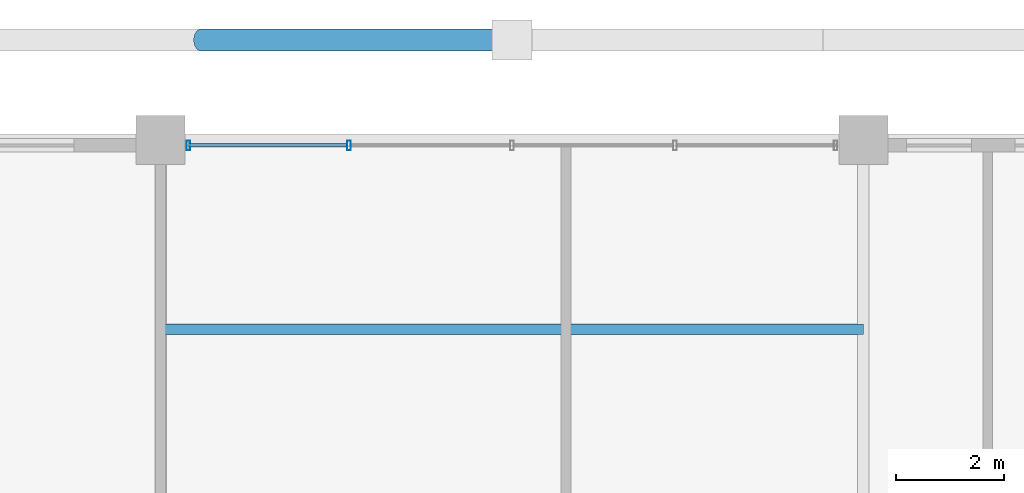
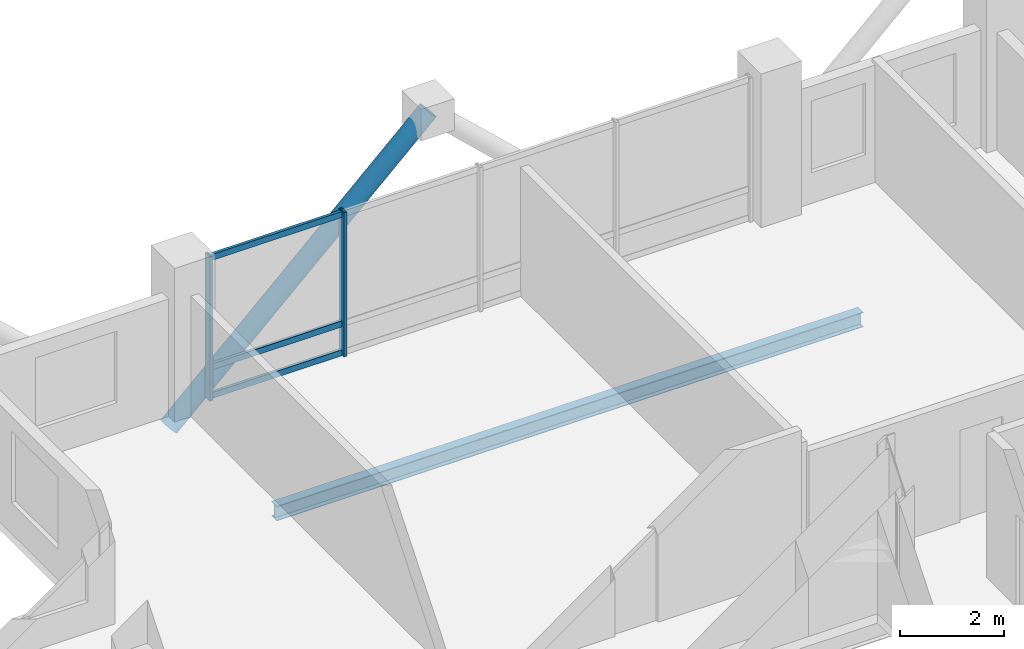
# One storey, part 14 of 22: 6 members, 1 beam, 1 element without a shape of its own.
"""IFC4 building model written with IfcOpenShell, lengths in metres."""

import ifcopenshell
import ifcopenshell.guid

model = None  # the IFC model being written
_history = None  # IfcOwnerHistory: only IFC2X3 demands one
_inside = {}  # id of a spatial element -> (the spatial element, [elements in it])
_under = {}  # id of a project, library or spatial element -> (it, [spatial elements below it])
_declared = {}  # id of a project -> (the project, [libraries it declares])
_typed = {}  # id of a type object -> (the type object, [elements of that type])
_made_of = {}  # id of a material, layer set ... -> (it, [elements and type objects made of it])


def new_model(schema):
    """Start an empty IFC model of exactly this schema.

    Asked for "IFC4X3", IfcOpenShell would pick the latest addendum, in which some entities
    have other attributes; the version numbers below select the first issue.
    IFC2X3 requires an IfcOwnerHistory on every rooted entity: one is made here for all.
    """
    global model, _history
    if schema == "IFC4X3":
        model = ifcopenshell.file(schema_version=(4, 3, 0, 0))
    else:
        model = ifcopenshell.file(schema=schema)
    _inside.clear()
    _under.clear()
    _declared.clear()
    _typed.clear()
    _made_of.clear()
    _history = None
    if model.schema == "IFC2X3":
        org = make("IfcOrganization", Name="unknown")
        user = make(
            "IfcPersonAndOrganization",
            ThePerson=make("IfcPerson", FamilyName="unknown"),
            TheOrganization=org,
        )
        app = make(
            "IfcApplication",
            ApplicationDeveloper=org,
            Version="unknown",
            ApplicationFullName="unknown",
            ApplicationIdentifier="unknown",
        )
        _history = make(
            "IfcOwnerHistory",
            OwningUser=user,
            OwningApplication=app,
            ChangeAction="ADDED",
            CreationDate=0,
        )
    return model


def make(cls, **values):
    """One entity of the class cls with the attributes given. An attribute that is None is left unset."""
    return model.create_entity(
        cls, **{name: value for name, value in values.items() if value is not None}
    )


def rooted(cls, **values):
    """An entity with a GlobalId (a new one), such as an element, a storey or a relation."""
    return make(cls, GlobalId=ifcopenshell.guid.new(), OwnerHistory=_history, **values)


def si_unit(unit_type, name, prefix=None):
    """IfcSIUnit, for example si_unit("LENGTHUNIT", "METRE", prefix="MILLI")."""
    return make("IfcSIUnit", UnitType=unit_type, Prefix=prefix, Name=name)


def assignment(units):
    """IfcUnitAssignment: the units of a project."""
    return None if units is None else make("IfcUnitAssignment", Units=units)


def point(xyz):
    """IfcCartesianPoint."""
    return None if xyz is None else make("IfcCartesianPoint", Coordinates=xyz)


def direction(xyz):
    """IfcDirection."""
    return None if xyz is None else make("IfcDirection", DirectionRatios=xyz)


def frame(location, z_axis=None, x_axis=None):
    """IfcAxis2Placement3D, a coordinate frame: its origin and axes. An axis left out is left unset."""
    return make(
        "IfcAxis2Placement3D",
        Location=point(location),
        Axis=direction(z_axis),
        RefDirection=direction(x_axis),
    )


def frame_2d(location, x_axis=None):
    """IfcAxis2Placement2D, a coordinate frame in the plane: its origin and x axis."""
    return make(
        "IfcAxis2Placement2D", Location=point(location), RefDirection=direction(x_axis)
    )


def origin():
    """The frame at (0, 0, 0) with its axes left unset."""
    return frame((0.0, 0.0, 0.0))


def origin_2d():
    """The frame at (0, 0) in the plane with its x axis left unset."""
    return frame_2d((0.0, 0.0))


def place(relative_to, where):
    """IfcLocalPlacement: puts the frame where relative to a parent placement (None: the world)."""
    return make(
        "IfcLocalPlacement", PlacementRelTo=relative_to, RelativePlacement=where
    )


def context(
    kind, dimensions, precision=None, world=None, true_north=None, identifier=None
):
    """IfcGeometricRepresentationContext, for example the 3D "Model" context."""
    return make(
        "IfcGeometricRepresentationContext",
        ContextIdentifier=identifier,
        ContextType=kind,
        CoordinateSpaceDimension=dimensions,
        Precision=precision,
        WorldCoordinateSystem=world,
        TrueNorth=true_north,
    )


def subcontext(parent, identifier, kind, view, scale=None):
    """IfcGeometricRepresentationSubContext, for example "Body" below "Model"."""
    return make(
        "IfcGeometricRepresentationSubContext",
        ContextIdentifier=identifier,
        ContextType=kind,
        ParentContext=parent,
        TargetScale=scale,
        TargetView=view,
    )


def project(units=None, contexts=None):
    """IfcProject with its units and contexts."""
    return rooted(
        "IfcProject",
        Name="project",
        RepresentationContexts=contexts,
        UnitsInContext=assignment(units),
    )


def spatial(cls, under=None, at=None, **own):
    """A site, building, storey or space (cls), placed at a placement, below another one or the project."""
    s = rooted(cls, ObjectPlacement=at, **own)
    if under is not None:
        _under.setdefault(under.id(), (under, []))[1].append(s)
    return s


def profile(cls, at=None, kind="AREA", **sizes):
    """A parametric profile (cls). Its sizes go by their IFC names, for example OverallWidth=200.0."""
    return make(cls, ProfileType=kind, Position=at, **sizes)


def hollow_rectangle(**sizes):
    """IfcRectangleHollowProfileDef."""
    return profile("IfcRectangleHollowProfileDef", **sizes)


def hollow_circle(**sizes):
    """IfcCircleHollowProfileDef."""
    return profile("IfcCircleHollowProfileDef", **sizes)


def i_section(**sizes):
    """IfcIShapeProfileDef."""
    return profile("IfcIShapeProfileDef", **sizes)


def extrude(swept, where, along, depth):
    """IfcExtrudedAreaSolid: the profile swept, set in the frame where, extruded along a direction by depth."""
    return make(
        "IfcExtrudedAreaSolid",
        SweptArea=swept,
        Position=where,
        ExtrudedDirection=direction(along),
        Depth=depth,
    )


def shape(context_of_items, identifier, shape_type, items):
    """IfcShapeRepresentation: the items that make up one representation, for example the "Body"."""
    return make(
        "IfcShapeRepresentation",
        ContextOfItems=context_of_items,
        RepresentationIdentifier=identifier,
        RepresentationType=shape_type,
        Items=items,
    )


def material(Name=None, Category=None):
    """IfcMaterial."""
    return make("IfcMaterial", Name=Name, Category=Category)


def layer(
    of_material, thickness, ventilated=None, Name=None, Category=None, Priority=None
):
    """IfcMaterialLayer: one layer of a wall or slab, of a material (None: an air gap)."""
    return make(
        "IfcMaterialLayer",
        Material=of_material,
        LayerThickness=thickness,
        IsVentilated=ventilated,
        Name=Name,
        Category=Category,
        Priority=Priority,
    )


def layer_set(layers, Name=None):
    """IfcMaterialLayerSet."""
    return make("IfcMaterialLayerSet", MaterialLayers=layers, LayerSetName=Name)


def material_profile(
    of_material, cross_section, Name=None, Category=None, Priority=None
):
    """IfcMaterialProfile: a cross section and its material."""
    return make(
        "IfcMaterialProfile",
        Name=Name,
        Material=of_material,
        Profile=cross_section,
        Priority=Priority,
        Category=Category,
    )


def profile_set(profiles, Name=None, composite=None):
    """IfcMaterialProfileSet."""
    return make(
        "IfcMaterialProfileSet",
        Name=Name,
        MaterialProfiles=profiles,
        CompositeProfile=composite,
    )


def made_of(thing, what):
    """Note that an element or type object is made of a material, layer set ...; save() writes the relation."""
    if what is not None:
        _made_of.setdefault(what.id(), (what, []))[1].append(thing)
    return thing


def type_object(cls, material=None, **own):
    """A type object (cls), such as IfcWallType, which elements share."""
    return made_of(rooted(cls, **own), material)


def element(
    cls,
    number,
    at=None,
    inside=None,
    cuts=None,
    type_object=None,
    material=None,
    context=None,
    identifier="Body",
    shape_type=None,
    held_by="IfcProductDefinitionShape",
    body=None,
    shapes=None,
    **own,
):
    """One element of the class cls, such as IfcWall. Its Tag is "e" and its number.

    at: its placement. inside: the storey or other place that contains it. cuts: it is an
    opening in that element (IfcRelVoidsElement). A single representation is given by context,
    identifier, shape_type and body (its items); several are given by shapes. held_by: the class
    of the entity that holds the representations. save() writes the other relations.
    """
    e = rooted(cls, Tag="e%d" % number, ObjectPlacement=at, **own)
    if body is not None:
        shapes = [shape(context, identifier, shape_type, body)]
    if shapes is not None:
        e.Representation = make(held_by, Representations=shapes)
    if inside is not None:
        _inside.setdefault(inside.id(), (inside, []))[1].append(e)
    if cuts is not None:
        rooted(
            "IfcRelVoidsElement", RelatingBuildingElement=cuts, RelatedOpeningElement=e
        )
    if type_object is not None:
        _typed.setdefault(type_object.id(), (type_object, []))[1].append(e)
    return made_of(e, material)


def aggregate(whole, parts):
    """IfcRelAggregates: a whole, such as a stair, and the parts it consists of."""
    return rooted("IfcRelAggregates", RelatingObject=whole, RelatedObjects=parts)


def save(model, path):
    """Write the relations noted so far, then the file.

    IfcRelAggregates (storeys below a building ...), IfcRelContainedInSpatialStructure (elements
    in a storey), IfcRelDefinesByType, IfcRelAssociatesMaterial and IfcRelDeclares: one each for
    every whole, place, type object, material and project.
    """
    for whole, parts in _under.values():
        aggregate(whole, parts)
    for where, things in _inside.values():
        rooted(
            "IfcRelContainedInSpatialStructure",
            RelatedElements=things,
            RelatingStructure=where,
        )
    for kind, things in _typed.values():
        rooted("IfcRelDefinesByType", RelatedObjects=things, RelatingType=kind)
    for what, things in _made_of.values():
        rooted("IfcRelAssociatesMaterial", RelatedObjects=things, RelatingMaterial=what)
    for by, libraries in _declared.values():
        rooted("IfcRelDeclares", RelatingContext=by, RelatedDefinitions=libraries)
    model.write(path)


model = new_model("IFC4")

# Units and contexts
model_context = context("Model", 3, precision=1e-05, world=origin(), true_north=direction((0.0, 1.0)))
body_context = subcontext(model_context, "Body", "Model", "MODEL_VIEW")
ifc_project = project(units=[si_unit("LENGTHUNIT", "METRE"), si_unit("AREAUNIT", "SQUARE_METRE"), si_unit("VOLUMEUNIT", "CUBIC_METRE"), si_unit("PLANEANGLEUNIT", "RADIAN"), si_unit("MASSUNIT", "GRAM", prefix="KILO")], contexts=[model_context])

# Site, building, storey
site_placement = place(None, origin())
site = spatial("IfcSite", under=ifc_project, at=site_placement, CompositionType="ELEMENT")
building_placement = place(site_placement, origin())
building = spatial("IfcBuilding", under=site, at=building_placement, Name="Barlavira Tower and Art Museum", CompositionType="ELEMENT")
storey_placement = place(building_placement, frame((0.0, 0.0, 258.300048828125)))
storey = spatial("IfcBuildingStorey", under=building, at=storey_placement, Name="L67", CompositionType="ELEMENT", Elevation=258.300048828125)

# Curtain wall, members
ifc_material_1 = material(Name="Low-iron coastal laminated glass", Category="glass")
ifc_layer = layer(ifc_material_1, 0.2099609375, Name="Low-iron coastal laminated glass")
ifc_layer_set = layer_set([ifc_layer], Name="Low-iron coastal laminated glass")
curtain_wall_type = type_object("IfcCurtainWallType", Name="Pale-Metal Unitised Curtain Wall Zone 4", PredefinedType="NOTDEFINED", material=ifc_layer_set)
curtain_wall_placement = place(storey_placement, origin())
curtain_wall = element("IfcCurtainWall", 1, at=curtain_wall_placement, inside=storey, type_object=curtain_wall_type, Name="L67 Curtain Wall CW4-L67-N-B2", PredefinedType="NOTDEFINED")
ifc_material_2 = material(Name="Pale anodised aluminium", Category="aluminium")
ifc_material_profile_1 = material_profile(ifc_material_2, hollow_rectangle(XDim=0.06494140625, YDim=0.179931640625, WallThickness=0.00390625, at=origin_2d()), Name="ALU-MULL 65x180x4")
ifc_profile_set_1 = profile_set([ifc_material_profile_1], Name="Pale anodised aluminium")
member_type_1 = type_object("IfcMemberType", Name="Curtain Wall Pale-Metal Mullion 65x180", PredefinedType="MULLION", material=ifc_profile_set_1)
member_1_placement = place(storey_placement, frame((-3.014892578125, 19.89990234375, 0.0), z_axis=(0.0, 0.0, 1.0), x_axis=(-1.0, 0.0, 0.0)))
member_1 = element("IfcMember", 2, at=member_1_placement, type_object=member_type_1, Name="CW4-L67-N-B2 Mullion 3", PredefinedType="MULLION", context=body_context, shape_type="SweptSolid", body=[
    extrude(hollow_rectangle(XDim=0.06494140625, YDim=0.179931640625, WallThickness=0.00390625, at=origin_2d()), origin(), (0.0, 0.0, 1.0), 3.3798828125),
])
member_2_placement = place(storey_placement, frame((-5.985107421875, 19.89990234375, 0.0), z_axis=(0.0, 0.0, 1.0), x_axis=(-1.0, 0.0, 0.0)))
member_2 = element("IfcMember", 3, at=member_2_placement, type_object=member_type_1, Name="CW4-L67-N-B2 Mullion 4", PredefinedType="MULLION", context=body_context, shape_type="SweptSolid", body=[
    extrude(hollow_rectangle(XDim=0.06494140625, YDim=0.179931640625, WallThickness=0.00390625, at=origin_2d()), origin(), (0.0, 0.0, 1.0), 3.3798828125),
])
ifc_material_profile_2 = material_profile(ifc_material_2, hollow_rectangle(XDim=0.06494140625, YDim=0.139892578125, WallThickness=0.00390625, at=origin_2d()), Name="ALU-TRAN 65x140x4")
ifc_profile_set_2 = profile_set([ifc_material_profile_2], Name="Pale anodised aluminium")
member_type_2 = type_object("IfcMemberType", Name="Curtain Wall Pale-Metal Transom 65x140", PredefinedType="USERDEFINED", material=ifc_profile_set_2)
member_3_placement = place(storey_placement, frame((-3.06005859375, 19.89990234375, 0.070068359375), z_axis=(-1.0, 0.0, 0.0), x_axis=(0.0, -1.0, 0.0)))
member_3 = element("IfcMember", 4, at=member_3_placement, type_object=member_type_2, Name="CW4-L67-N-B2 Transom 3.1", ObjectType="TRANSOM", PredefinedType="USERDEFINED", context=body_context, shape_type="SweptSolid", body=[
    extrude(hollow_rectangle(XDim=0.06494140625, YDim=0.139892578125, WallThickness=0.00390625, at=origin_2d()), origin(), (0.0, 0.0, 1.0), 2.925048828125),
])
member_4_placement = place(storey_placement, frame((-3.06005859375, 19.89990234375, 0.743896484375), z_axis=(-1.0, 0.0, 0.0), x_axis=(0.0, -1.0, 0.0)))
member_4 = element("IfcMember", 5, at=member_4_placement, type_object=member_type_2, Name="CW4-L67-N-B2 Transom 3.2", ObjectType="TRANSOM", PredefinedType="USERDEFINED", context=body_context, shape_type="SweptSolid", body=[
    extrude(hollow_rectangle(XDim=0.06494140625, YDim=0.139892578125, WallThickness=0.00390625, at=origin_2d()), origin(), (0.0, 0.0, 1.0), 2.925048828125),
])
member_5_placement = place(storey_placement, frame((-3.06005859375, 19.89990234375, 3.31005859375), z_axis=(-1.0, 0.0, 0.0), x_axis=(0.0, -1.0, 0.0)))
member_5 = element("IfcMember", 6, at=member_5_placement, type_object=member_type_2, Name="CW4-L67-N-B2 Transom 3.3", ObjectType="TRANSOM", PredefinedType="USERDEFINED", context=body_context, shape_type="SweptSolid", body=[
    extrude(hollow_rectangle(XDim=0.06494140625, YDim=0.139892578125, WallThickness=0.00390625, at=origin_2d()), origin(), (0.0, 0.0, 1.0), 2.925048828125),
])
aggregate(curtain_wall, [member_1, member_2, member_3, member_4, member_5])

# Member
ifc_material_3 = material(Name="Steel S355", Category="steel")
ifc_material_profile_3 = material_profile(ifc_material_3, hollow_circle(Radius=0.203125, WallThickness=0.01611328125, at=origin_2d()), Name="CHS 406.4x16.0")
ifc_profile_set_3 = profile_set([ifc_material_profile_3], Name="Steel S355")
member_type_3 = type_object("IfcMemberType", Name="Pale-Metal Exoskeleton Diagrid Tube CHS 406x16 Steel S355", PredefinedType="BRACE", material=ifc_profile_set_3)
member_6_placement = place(storey_placement, frame((-5.75, 21.85009765625, -1.920166015625), z_axis=(0.728934650808, 0.0, 0.684583285548), x_axis=(0.0, 1.0, 0.0)))
element("IfcMember", 7, at=member_6_placement, inside=storey, type_object=member_type_3, Name="L67 Exoskeleton Diagrid Tube N", PredefinedType="BRACE", context=body_context, shape_type="SweptSolid", body=[
    extrude(hollow_circle(Radius=0.203125, WallThickness=0.01611328125, at=origin_2d()), origin(), (0.0, 0.0, 1.0), 7.88818359375),
])

# Beam
ifc_material_profile_4 = material_profile(ifc_material_3, i_section(OverallWidth=0.202880859375, OverallDepth=0.346923828125, WebThickness=0.0078125, FlangeThickness=0.013427734375, at=origin_2d()), Name="W360x64.0")
ifc_profile_set_4 = profile_set([ifc_material_profile_4], Name="Steel S355")
beam_type = type_object("IfcBeamType", Name="Zone 4 Composite Floor Joist W360x64 Steel S355", PredefinedType="JOIST", material=ifc_profile_set_4)
beam_placement = place(storey_placement, frame((-6.5, 16.5, -0.3935546875), z_axis=(1.0, 0.0, 0.0), x_axis=(0.0, 1.0, 0.0)))
element("IfcBeam", 8, at=beam_placement, inside=storey, type_object=beam_type, Name="L67 Joist C2", PredefinedType="JOIST", context=body_context, shape_type="SweptSolid", body=[
    extrude(i_section(OverallWidth=0.202880859375, OverallDepth=0.346923828125, WebThickness=0.0078125, FlangeThickness=0.013427734375, at=origin_2d()), origin(), (0.0, 0.0, 1.0), 13.0),
])

save(model, "model.ifc")
